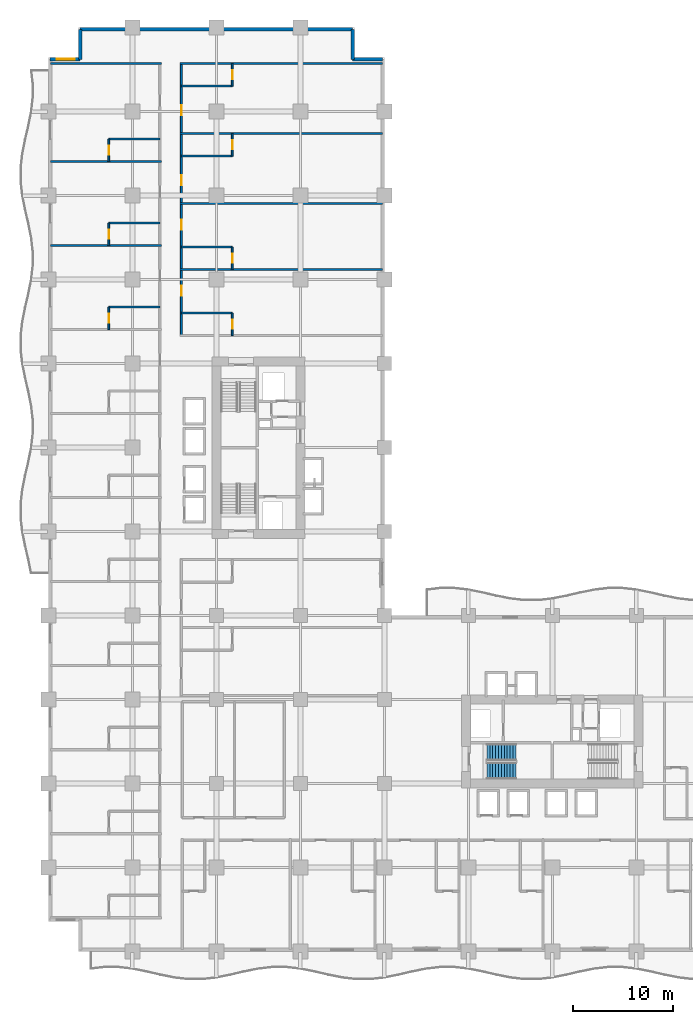
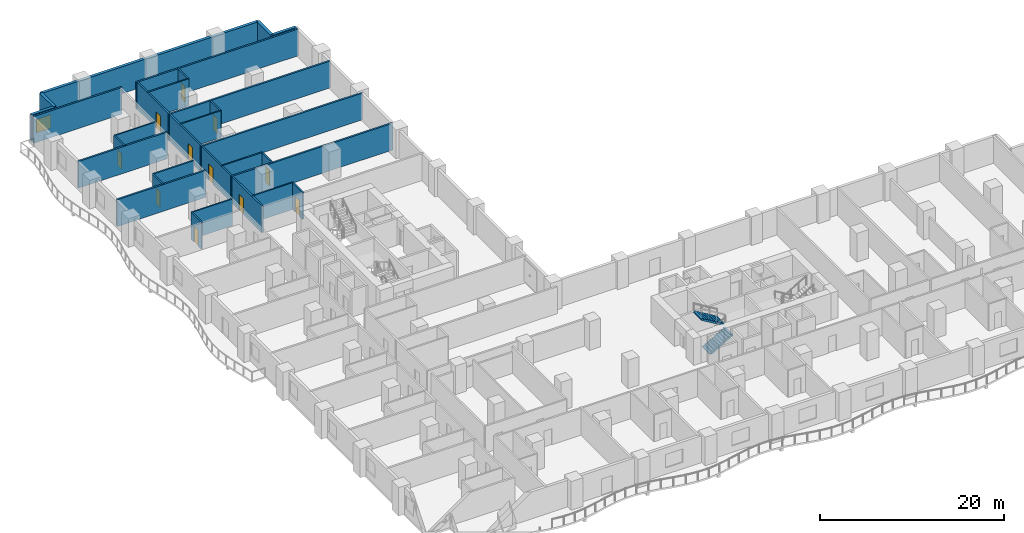
# One storey, part 14 of 20: 27 walls, 11 doors, 2 stair flights, 1 window, 12 openings, 1 element without a shape of its own.
"""IFC4 building model written with IfcOpenShell, lengths in metres."""

from ifc_helpers import new_model, si_unit, direction, frame, frame_2d, origin, place, context, subcontext, project, spatial, polyline, rectangle, outline, extrude, material, layer, layer_set, type_object, element, fill, aggregate, save


model = new_model("IFC4")

# Units and contexts
model_context = context("Model", 3, precision=1e-05, world=origin(), true_north=direction((0.0, 1.0)))
body_context = subcontext(model_context, "Body", "Model", "MODEL_VIEW")
ifc_project = project(units=[si_unit("LENGTHUNIT", "METRE"), si_unit("AREAUNIT", "SQUARE_METRE"), si_unit("VOLUMEUNIT", "CUBIC_METRE"), si_unit("PLANEANGLEUNIT", "RADIAN"), si_unit("MASSUNIT", "GRAM", prefix="KILO")], contexts=[model_context])

# Site, building, storey
site_placement = place(None, origin())
site = spatial("IfcSite", under=ifc_project, at=site_placement, CompositionType="ELEMENT")
building_placement = place(site_placement, origin())
building = spatial("IfcBuilding", under=site, at=building_placement, Name="Koriwani Terraces Tower", CompositionType="ELEMENT")
storey_placement = place(building_placement, frame((0.0, 0.0, 35.800048828125)))
storey = spatial("IfcBuildingStorey", under=building, at=storey_placement, Name="L07", CompositionType="ELEMENT", Elevation=35.800048828125)

# Wall, openings, doors
ifc_material_1 = material(Name="Autoclaved Cellular Concrete Blockwork", Category="masonry")
ifc_layer_1 = layer(ifc_material_1, 0.199951171875, Name="Autoclaved Cellular Concrete Blockwork")
ifc_layer_set_1 = layer_set([ifc_layer_1], Name="Autoclaved Cellular Concrete Blockwork")
wall_type_1 = type_object("IfcWallType", Name="WALL_CORRIDOR_200", PredefinedType="PARTITIONING", material=ifc_layer_set_1)
wall_1_placement = place(storey_placement, frame((13.300048828125, 61.60009765625, 0.0), z_axis=(0.0, 0.0, 1.0), x_axis=(0.0, 1.0, 0.0)))
wall_1 = element("IfcWall", 1, at=wall_1_placement, inside=storey, type_object=wall_type_1, Name="L07 Interior Wall WCOR-L07-NE-0", PredefinedType="PARTITIONING", context=body_context, shape_type="SweptSolid", body=[
    extrude(rectangle(XDim=27.199951171875, YDim=0.199951171875, at=frame_2d((13.60009765625, 0.0))), origin(), (0.0, 0.0, 1.0), 3.550048828125),
])
opening_1_placement = place(wall_1_placement, frame((3.965087890625, 0.0, 0.0)))
opening_1 = element("IfcOpeningElement", 2, at=opening_1_placement, cuts=wall_1, Name="Opening D-05", PredefinedType="OPENING", context=body_context, shape_type="SweptSolid", body=[
    extrude(rectangle(XDim=1.0, YDim=2.14990234375, at=frame_2d((0.5, 1.074951171875))), frame((0.0, 0.10986328125, 0.0), z_axis=(0.0, -1.0, 0.0), x_axis=(1.0, 0.0, 0.0)), (0.0, 0.0, 1.0), 0.219970703125),
])
opening_2_placement = place(wall_1_placement, frame((10.56494140625, 0.0, 0.0)))
opening_2 = element("IfcOpeningElement", 3, at=opening_2_placement, cuts=wall_1, Name="Opening D-05", PredefinedType="OPENING", context=body_context, shape_type="SweptSolid", body=[
    extrude(rectangle(XDim=1.0, YDim=2.14990234375, at=frame_2d((0.5, 1.074951171875))), frame((0.0, 0.10986328125, 0.0), z_axis=(0.0, -1.0, 0.0), x_axis=(1.0, 0.0, 0.0)), (0.0, 0.0, 1.0), 0.219970703125),
])
opening_3_placement = place(wall_1_placement, frame((15.034912109375, 0.0, 0.0)))
opening_3 = element("IfcOpeningElement", 4, at=opening_3_placement, cuts=wall_1, Name="Opening D-05", PredefinedType="OPENING", context=body_context, shape_type="SweptSolid", body=[
    extrude(rectangle(XDim=1.0, YDim=2.14990234375, at=frame_2d((0.5, 1.074951171875))), frame((0.0, 0.10986328125, 0.0), z_axis=(0.0, -1.0, 0.0), x_axis=(1.0, 0.0, 0.0)), (0.0, 0.0, 1.0), 0.219970703125),
])
opening_4_placement = place(wall_1_placement, frame((22.034912109375, 0.0, 0.0)))
opening_4 = element("IfcOpeningElement", 5, at=opening_4_placement, cuts=wall_1, Name="Opening D-05", PredefinedType="OPENING", context=body_context, shape_type="SweptSolid", body=[
    extrude(rectangle(XDim=1.0, YDim=2.14990234375, at=frame_2d((0.5, 1.074951171875))), frame((0.0, 0.10986328125, 0.0), z_axis=(0.0, -1.0, 0.0), x_axis=(1.0, 0.0, 0.0)), (0.0, 0.0, 1.0), 0.219970703125),
])
ifc_material_2 = material(Name="Architectural Oak Fire Door", Category="wood")
door_type_1 = type_object("IfcDoorType", Name="DOOR_SUITE_ENTRY_1000X2150", OperationType="NOTDEFINED", PredefinedType="DOOR", material=ifc_material_2)
door_1_placement = place(opening_1_placement, origin())
door_1 = element("IfcDoor", 6, at=door_1_placement, inside=storey, type_object=door_type_1, Name="Luxury Hotel Suite 07NE1 Entrance Door", OperationType="SINGLE_SWING_LEFT", OverallHeight=2.14990234375, OverallWidth=1.0, PredefinedType="DOOR", context=body_context, shape_type="SweptSolid", body=[
    extrude(rectangle(XDim=1.0, YDim=2.14990234375, at=frame_2d((0.5, 1.074951171875))), frame((0.0, 0.02490234375, 0.0), z_axis=(0.0, -1.0, 0.0), x_axis=(1.0, 0.0, 0.0)), (0.0, 0.0, 1.0), 0.050048828125),
])
fill(opening_1, door_1)
door_2_placement = place(opening_2_placement, origin())
door_2 = element("IfcDoor", 7, at=door_2_placement, inside=storey, type_object=door_type_1, Name="Luxury Hotel Suite 07NE2 Entrance Door", OperationType="SINGLE_SWING_LEFT", OverallHeight=2.14990234375, OverallWidth=1.0, PredefinedType="DOOR", context=body_context, shape_type="SweptSolid", body=[
    extrude(rectangle(XDim=1.0, YDim=2.14990234375, at=frame_2d((0.5, 1.074951171875))), frame((0.0, 0.02490234375, 0.0), z_axis=(0.0, -1.0, 0.0), x_axis=(1.0, 0.0, 0.0)), (0.0, 0.0, 1.0), 0.050048828125),
])
fill(opening_2, door_2)
door_3_placement = place(opening_3_placement, origin())
door_3 = element("IfcDoor", 8, at=door_3_placement, inside=storey, type_object=door_type_1, Name="Luxury Hotel Suite 07NE3 Entrance Door", OperationType="SINGLE_SWING_LEFT", OverallHeight=2.14990234375, OverallWidth=1.0, PredefinedType="DOOR", context=body_context, shape_type="SweptSolid", body=[
    extrude(rectangle(XDim=1.0, YDim=2.14990234375, at=frame_2d((0.5, 1.074951171875))), frame((0.0, 0.02490234375, 0.0), z_axis=(0.0, -1.0, 0.0), x_axis=(1.0, 0.0, 0.0)), (0.0, 0.0, 1.0), 0.050048828125),
])
fill(opening_3, door_3)
door_4_placement = place(opening_4_placement, origin())
door_4 = element("IfcDoor", 9, at=door_4_placement, inside=storey, type_object=door_type_1, Name="Luxury Hotel Suite 07NE4 Entrance Door", OperationType="SINGLE_SWING_LEFT", OverallHeight=2.14990234375, OverallWidth=1.0, PredefinedType="DOOR", context=body_context, shape_type="SweptSolid", body=[
    extrude(rectangle(XDim=1.0, YDim=2.14990234375, at=frame_2d((0.5, 1.074951171875))), frame((0.0, 0.02490234375, 0.0), z_axis=(0.0, -1.0, 0.0), x_axis=(1.0, 0.0, 0.0)), (0.0, 0.0, 1.0), 0.050048828125),
])
fill(opening_4, door_4)

# Walls
ifc_layer_2 = layer(ifc_material_1, 0.219970703125, Name="Autoclaved Cellular Concrete Blockwork")
ifc_layer_set_2 = layer_set([ifc_layer_2], Name="Autoclaved Cellular Concrete Blockwork")
wall_type_2 = type_object("IfcWallType", Name="WALL_DEMISING_220", PredefinedType="PARTITIONING", material=ifc_layer_set_2)
for number, where, z_axis, x_axis, name in (
    (10, (0.199951171875, 70.60009765625, 0.0), (0.0, 0.0, 1.0), (1.0, 0.0, 0.0), "L07 Interior Wall WDEM-L07-NW-8"),
    (11, (0.199951171875, 79.0, 0.0), (0.0, 0.0, 1.0), (1.0, 0.0, 0.0), "L07 Interior Wall WDEM-L07-NW-9"),
    (12, (0.199951171875, 88.800048828125, 0.0), (0.0, 0.0, 1.0), (1.0, 0.0, 0.0), "L07 Interior Wall WDEME-L07-NW"),
):
    element("IfcWall", number, at=place(storey_placement, frame(where, z_axis=z_axis, x_axis=x_axis)), inside=storey, type_object=wall_type_2, Name=name, PredefinedType="PARTITIONING", context=body_context, shape_type="SweptSolid", body=[
        extrude(rectangle(XDim=11.130126953125, YDim=0.219970703125, at=frame_2d((5.56494140625, 0.0))), origin(), (0.0, 0.0, 1.0), 3.550048828125),
    ])
for number, where, z_axis, x_axis, name in (
    (13, (13.14990234375, 68.199951171875, 0.0), (0.0, 0.0, 1.0), (1.0, 0.0, 0.0), "L07 Interior Wall WDEM-L07-NE-1"),
    (14, (13.14990234375, 74.800048828125, 0.0), (0.0, 0.0, 1.0), (1.0, 0.0, 0.0), "L07 Interior Wall WDEM-L07-NE-2"),
    (15, (13.14990234375, 81.800048828125, 0.0), (0.0, 0.0, 1.0), (1.0, 0.0, 0.0), "L07 Interior Wall WDEM-L07-NE-3"),
    (16, (13.14990234375, 88.800048828125, 0.0), (0.0, 0.0, 1.0), (1.0, 0.0, 0.0), "L07 Interior Wall WDEME-L07-NE"),
):
    element("IfcWall", number, at=place(storey_placement, frame(where, z_axis=z_axis, x_axis=x_axis)), inside=storey, type_object=wall_type_2, Name=name, PredefinedType="PARTITIONING", context=body_context, shape_type="SweptSolid", body=[
        extrude(rectangle(XDim=20.280029296875, YDim=0.219970703125, at=frame_2d((10.14013671875, 0.0))), origin(), (0.0, 0.0, 1.0), 3.550048828125),
    ])

# Wall, opening, window
ifc_material_3 = material(Name="Concrete C50/60", Category="concrete")
ifc_layer_3 = layer(ifc_material_3, 0.35009765625, Name="Concrete C50/60")
ifc_layer_set_3 = layer_set([ifc_layer_3], Name="Concrete C50/60")
wall_type_3 = type_object("IfcWallType", Name="WALL_EXT_BRUTALIST_350", PredefinedType="STANDARD", material=ifc_layer_set_3)
wall_2_placement = place(storey_placement, frame((0.175048828125, 89.22509765625, 0.0), z_axis=(0.0, 0.0, 1.0), x_axis=(1.0, 0.0, 0.0)))
wall_2 = element("IfcWall", 17, at=wall_2_placement, inside=storey, type_object=wall_type_3, Name="L07 Fair-Faced Brutalist Exterior Wall (N3)", PredefinedType="STANDARD", context=body_context, shape_type="SweptSolid", body=[
    extrude(rectangle(XDim=3.0, YDim=0.35009765625, at=frame_2d((1.5, 0.0))), origin(), (0.0, 0.0, 1.0), 3.550048828125),
])
opening_5_placement = place(wall_2_placement, frame((0.677490234375, 0.0, 0.85009765625)))
opening_5 = element("IfcOpeningElement", 18, at=opening_5_placement, cuts=wall_2, Name="Opening W-04", PredefinedType="OPENING", context=body_context, shape_type="SweptSolid", body=[
    extrude(rectangle(XDim=1.800048828125, YDim=1.800048828125, at=frame_2d((0.89990234375, 0.89990234375))), frame((0.0, 0.18505859375, 0.0), z_axis=(0.0, -1.0, 0.0), x_axis=(1.0, 0.0, 0.0)), (0.0, 0.0, 1.0), 0.3701171875),
])
ifc_material_4 = material(Name="Tempered Laminated Low-E Glass", Category="glass")
window_type = type_object("IfcWindowType", Name="WIN_RES_BED_1800X1800", PartitioningType="DOUBLE_PANEL_VERTICAL", PredefinedType="WINDOW", material=ifc_material_4)
window_placement = place(opening_5_placement, origin())
window = element("IfcWindow", 19, at=window_placement, inside=storey, type_object=window_type, Name="L07 Exterior Window (N3-R55)", OverallHeight=1.800048828125, OverallWidth=1.800048828125, PartitioningType="SINGLE_PANEL", PredefinedType="WINDOW", context=body_context, shape_type="SweptSolid", body=[
    extrude(rectangle(XDim=1.800048828125, YDim=1.800048828125, at=frame_2d((0.89990234375, 0.89990234375))), frame((0.0, 0.030029296875, 0.0), z_axis=(0.0, -1.0, 0.0), x_axis=(1.0, 0.0, 0.0)), (0.0, 0.0, 1.0), 0.06005859375),
])
fill(opening_5, window)

# Walls
wall_3_placement = place(storey_placement, frame((3.175048828125, 89.22509765625, 0.0), z_axis=(0.0, 0.0, 1.0), x_axis=(0.0, 1.0, 0.0)))
element("IfcWall", 20, at=wall_3_placement, inside=storey, type_object=wall_type_3, Name="L07 Fair-Faced Brutalist Exterior Wall (N4)", PredefinedType="STANDARD", context=body_context, shape_type="SweptSolid", body=[
    extrude(rectangle(XDim=3.0, YDim=0.35009765625, at=frame_2d((1.5, 0.0))), origin(), (0.0, 0.0, 1.0), 3.550048828125),
])
wall_4_placement = place(storey_placement, frame((3.175048828125, 92.22509765625, 0.0), z_axis=(0.0, 0.0, 1.0), x_axis=(1.0, 0.0, 0.0)))
element("IfcWall", 21, at=wall_4_placement, inside=storey, type_object=wall_type_3, Name="L07 Fair-Faced Brutalist Exterior Wall (N_TIP)", PredefinedType="STANDARD", context=body_context, shape_type="SweptSolid", body=[
    extrude(rectangle(XDim=27.25, YDim=0.35009765625, at=frame_2d((13.625, 0.0))), origin(), (0.0, 0.0, 1.0), 3.550048828125),
])
for number, where, z_axis, x_axis, name in (
    (22, (30.425048828125, 92.22509765625, 0.0), (0.0, 0.0, 1.0), (0.0, -1.0, 0.0), "L07 Fair-Faced Brutalist Exterior Wall (N6)"),
    (23, (30.425048828125, 89.22509765625, 0.0), (0.0, 0.0, 1.0), (1.0, 0.0, 0.0), "L07 Fair-Faced Brutalist Exterior Wall (N7)"),
):
    element("IfcWall", number, at=place(storey_placement, frame(where, z_axis=z_axis, x_axis=x_axis)), inside=storey, type_object=wall_type_3, Name=name, PredefinedType="STANDARD", context=body_context, shape_type="SweptSolid", body=[
        extrude(rectangle(XDim=3.0, YDim=0.35009765625, at=frame_2d((1.5, 0.0))), origin(), (0.0, 0.0, 1.0), 3.550048828125),
    ])

# Wall, opening, door
ifc_material_5 = material(Name="Fire-Rated Acoustic Gypsum Partition", Category="masonry")
ifc_layer_4 = layer(ifc_material_5, 0.179931640625, Name="Fire-Rated Acoustic Gypsum Partition")
ifc_layer_set_4 = layer_set([ifc_layer_4], Name="Fire-Rated Acoustic Gypsum Partition")
wall_type_4 = type_object("IfcWallType", Name="WALL_PLUMBING_180", PredefinedType="PLUMBINGWALL", material=ifc_layer_set_4)
wall_5_placement = place(storey_placement, frame((6.050048828125, 62.199951171875, 0.0), z_axis=(0.0, 0.0, 1.0), x_axis=(0.0, 1.0, 0.0)))
wall_5 = element("IfcWall", 24, at=wall_5_placement, inside=storey, type_object=wall_type_4, Name="L07 Interior Wall WBTH1-L07-NW-7", PredefinedType="PLUMBINGWALL", context=body_context, shape_type="SweptSolid", body=[
    extrude(rectangle(XDim=2.25, YDim=0.179931640625, at=frame_2d((1.125, 0.0))), origin(), (0.0, 0.0, 1.0), 3.550048828125),
])
opening_6_placement = place(wall_5_placement, frame((0.675048828125, 0.0, 0.0)))
opening_6 = element("IfcOpeningElement", 25, at=opening_6_placement, cuts=wall_5, Name="Opening D-07", PredefinedType="OPENING", context=body_context, shape_type="SweptSolid", body=[
    extrude(rectangle(XDim=0.89990234375, YDim=2.10009765625, at=frame_2d((0.449951171875, 1.050048828125))), frame((0.0, 0.10009765625, 0.0), z_axis=(0.0, -1.0, 0.0), x_axis=(1.0, 0.0, 0.0)), (0.0, 0.0, 1.0), 0.199951171875),
])
door_type_2 = type_object("IfcDoorType", Name="DOOR_BATH_INT_900X2100", OperationType="NOTDEFINED", PredefinedType="DOOR", material=ifc_material_2)
door_5_placement = place(opening_6_placement, origin())
door_5 = element("IfcDoor", 26, at=door_5_placement, inside=storey, type_object=door_type_2, Name="En-Suite Bathroom 07NW8 Door", OperationType="SINGLE_SWING_RIGHT", OverallHeight=2.10009765625, OverallWidth=0.89990234375, PredefinedType="DOOR", context=body_context, shape_type="SweptSolid", body=[
    extrude(rectangle(XDim=0.89990234375, YDim=2.10009765625, at=frame_2d((0.449951171875, 1.050048828125))), frame((0.0, 0.02490234375, 0.0), z_axis=(0.0, -1.0, 0.0), x_axis=(1.0, 0.0, 0.0)), (0.0, 0.0, 1.0), 0.050048828125),
])
fill(opening_6, door_5)

# Wall
wall_6_placement = place(storey_placement, frame((6.050048828125, 64.449951171875, 0.0), z_axis=(0.0, 0.0, 1.0), x_axis=(1.0, 0.0, 0.0)))
element("IfcWall", 27, at=wall_6_placement, inside=storey, type_object=wall_type_4, Name="L07 Interior Wall WBTH2-L07-NW-7", PredefinedType="PLUMBINGWALL", context=body_context, shape_type="SweptSolid", body=[
    extrude(rectangle(XDim=5.099853515625, YDim=0.179931640625, at=frame_2d((2.5498046875, 0.0))), origin(), (0.0, 0.0, 1.0), 3.550048828125),
])

# Wall, opening, door
wall_7_placement = place(storey_placement, frame((6.050048828125, 70.60009765625, 0.0), z_axis=(0.0, 0.0, 1.0), x_axis=(0.0, 1.0, 0.0)))
wall_7 = element("IfcWall", 28, at=wall_7_placement, inside=storey, type_object=wall_type_4, Name="L07 Interior Wall WBTH1-L07-NW-8", PredefinedType="PLUMBINGWALL", context=body_context, shape_type="SweptSolid", body=[
    extrude(rectangle(XDim=2.25, YDim=0.179931640625, at=frame_2d((1.125, 0.0))), origin(), (0.0, 0.0, 1.0), 3.550048828125),
])
opening_7_placement = place(wall_7_placement, frame((0.675048828125, 0.0, 0.0)))
opening_7 = element("IfcOpeningElement", 29, at=opening_7_placement, cuts=wall_7, Name="Opening D-07", PredefinedType="OPENING", context=body_context, shape_type="SweptSolid", body=[
    extrude(rectangle(XDim=0.89990234375, YDim=2.10009765625, at=frame_2d((0.449951171875, 1.050048828125))), frame((0.0, 0.10009765625, 0.0), z_axis=(0.0, -1.0, 0.0), x_axis=(1.0, 0.0, 0.0)), (0.0, 0.0, 1.0), 0.199951171875),
])
door_6_placement = place(opening_7_placement, origin())
door_6 = element("IfcDoor", 30, at=door_6_placement, inside=storey, type_object=door_type_2, Name="En-Suite Bathroom 07NW9 Door", OperationType="SINGLE_SWING_RIGHT", OverallHeight=2.10009765625, OverallWidth=0.89990234375, PredefinedType="DOOR", context=body_context, shape_type="SweptSolid", body=[
    extrude(rectangle(XDim=0.89990234375, YDim=2.10009765625, at=frame_2d((0.449951171875, 1.050048828125))), frame((0.0, 0.02490234375, 0.0), z_axis=(0.0, -1.0, 0.0), x_axis=(1.0, 0.0, 0.0)), (0.0, 0.0, 1.0), 0.050048828125),
])
fill(opening_7, door_6)

# Wall
wall_8_placement = place(storey_placement, frame((6.050048828125, 72.85009765625, 0.0), z_axis=(0.0, 0.0, 1.0), x_axis=(1.0, 0.0, 0.0)))
element("IfcWall", 31, at=wall_8_placement, inside=storey, type_object=wall_type_4, Name="L07 Interior Wall WBTH2-L07-NW-8", PredefinedType="PLUMBINGWALL", context=body_context, shape_type="SweptSolid", body=[
    extrude(rectangle(XDim=5.099853515625, YDim=0.179931640625, at=frame_2d((2.5498046875, 0.0))), origin(), (0.0, 0.0, 1.0), 3.550048828125),
])

# Wall, opening, door
wall_9_placement = place(storey_placement, frame((6.050048828125, 79.0, 0.0), z_axis=(0.0, 0.0, 1.0), x_axis=(0.0, 1.0, 0.0)))
wall_9 = element("IfcWall", 32, at=wall_9_placement, inside=storey, type_object=wall_type_4, Name="L07 Interior Wall WBTH1-L07-NW-9", PredefinedType="PLUMBINGWALL", context=body_context, shape_type="SweptSolid", body=[
    extrude(rectangle(XDim=2.25, YDim=0.179931640625, at=frame_2d((1.125, 0.0))), origin(), (0.0, 0.0, 1.0), 3.550048828125),
])
opening_8_placement = place(wall_9_placement, frame((0.675048828125, 0.0, 0.0)))
opening_8 = element("IfcOpeningElement", 33, at=opening_8_placement, cuts=wall_9, Name="Opening D-07", PredefinedType="OPENING", context=body_context, shape_type="SweptSolid", body=[
    extrude(rectangle(XDim=0.89990234375, YDim=2.10009765625, at=frame_2d((0.449951171875, 1.050048828125))), frame((0.0, 0.10009765625, 0.0), z_axis=(0.0, -1.0, 0.0), x_axis=(1.0, 0.0, 0.0)), (0.0, 0.0, 1.0), 0.199951171875),
])
door_7_placement = place(opening_8_placement, origin())
door_7 = element("IfcDoor", 34, at=door_7_placement, inside=storey, type_object=door_type_2, Name="En-Suite Bathroom 07NW10 Door", OperationType="SINGLE_SWING_RIGHT", OverallHeight=2.10009765625, OverallWidth=0.89990234375, PredefinedType="DOOR", context=body_context, shape_type="SweptSolid", body=[
    extrude(rectangle(XDim=0.89990234375, YDim=2.10009765625, at=frame_2d((0.449951171875, 1.050048828125))), frame((0.0, 0.02490234375, 0.0), z_axis=(0.0, -1.0, 0.0), x_axis=(1.0, 0.0, 0.0)), (0.0, 0.0, 1.0), 0.050048828125),
])
fill(opening_8, door_7)

# Wall
wall_10_placement = place(storey_placement, frame((6.050048828125, 81.25, 0.0), z_axis=(0.0, 0.0, 1.0), x_axis=(1.0, 0.0, 0.0)))
element("IfcWall", 35, at=wall_10_placement, inside=storey, type_object=wall_type_4, Name="L07 Interior Wall WBTH2-L07-NW-9", PredefinedType="PLUMBINGWALL", context=body_context, shape_type="SweptSolid", body=[
    extrude(rectangle(XDim=5.099853515625, YDim=0.179931640625, at=frame_2d((2.5498046875, 0.0))), origin(), (0.0, 0.0, 1.0), 3.550048828125),
])

# Wall, opening, door
wall_11_placement = place(storey_placement, frame((18.39990234375, 61.60009765625, 0.0), z_axis=(0.0, 0.0, 1.0), x_axis=(0.0, 1.0, 0.0)))
wall_11 = element("IfcWall", 36, at=wall_11_placement, inside=storey, type_object=wall_type_4, Name="L07 Interior Wall WBTH1-L07-NE-0", PredefinedType="PLUMBINGWALL", context=body_context, shape_type="SweptSolid", body=[
    extrude(rectangle(XDim=2.25, YDim=0.179931640625, at=frame_2d((1.125, 0.0))), origin(), (0.0, 0.0, 1.0), 3.550048828125),
])
opening_9_placement = place(wall_11_placement, frame((0.675048828125, 0.0, 0.0)))
opening_9 = element("IfcOpeningElement", 37, at=opening_9_placement, cuts=wall_11, Name="Opening D-07", PredefinedType="OPENING", context=body_context, shape_type="SweptSolid", body=[
    extrude(rectangle(XDim=0.89990234375, YDim=2.10009765625, at=frame_2d((0.449951171875, 1.050048828125))), frame((0.0, 0.10009765625, 0.0), z_axis=(0.0, -1.0, 0.0), x_axis=(1.0, 0.0, 0.0)), (0.0, 0.0, 1.0), 0.199951171875),
])
door_8_placement = place(opening_9_placement, origin())
door_8 = element("IfcDoor", 38, at=door_8_placement, inside=storey, type_object=door_type_2, Name="En-Suite Bathroom 07NE1 Door", OperationType="SINGLE_SWING_RIGHT", OverallHeight=2.10009765625, OverallWidth=0.89990234375, PredefinedType="DOOR", context=body_context, shape_type="SweptSolid", body=[
    extrude(rectangle(XDim=0.89990234375, YDim=2.10009765625, at=frame_2d((0.449951171875, 1.050048828125))), frame((0.0, 0.02490234375, 0.0), z_axis=(0.0, -1.0, 0.0), x_axis=(1.0, 0.0, 0.0)), (0.0, 0.0, 1.0), 0.050048828125),
])
fill(opening_9, door_8)

# Wall
wall_12_placement = place(storey_placement, frame((13.300048828125, 63.85009765625, 0.0), z_axis=(0.0, 0.0, 1.0), x_axis=(1.0, 0.0, 0.0)))
element("IfcWall", 39, at=wall_12_placement, inside=storey, type_object=wall_type_4, Name="L07 Interior Wall WBTH2-L07-NE-0", PredefinedType="PLUMBINGWALL", context=body_context, shape_type="SweptSolid", body=[
    extrude(rectangle(XDim=5.099853515625, YDim=0.179931640625, at=frame_2d((2.5498046875, 0.0))), origin(), (0.0, 0.0, 1.0), 3.550048828125),
])

# Wall, opening, door
wall_13_placement = place(storey_placement, frame((18.39990234375, 68.199951171875, 0.0), z_axis=(0.0, 0.0, 1.0), x_axis=(0.0, 1.0, 0.0)))
wall_13 = element("IfcWall", 40, at=wall_13_placement, inside=storey, type_object=wall_type_4, Name="L07 Interior Wall WBTH1-L07-NE-1", PredefinedType="PLUMBINGWALL", context=body_context, shape_type="SweptSolid", body=[
    extrude(rectangle(XDim=2.25, YDim=0.179931640625, at=frame_2d((1.125, 0.0))), origin(), (0.0, 0.0, 1.0), 3.550048828125),
])
opening_10_placement = place(wall_13_placement, frame((0.675048828125, 0.0, 0.0)))
opening_10 = element("IfcOpeningElement", 41, at=opening_10_placement, cuts=wall_13, Name="Opening D-07", PredefinedType="OPENING", context=body_context, shape_type="SweptSolid", body=[
    extrude(rectangle(XDim=0.89990234375, YDim=2.10009765625, at=frame_2d((0.449951171875, 1.050048828125))), frame((0.0, 0.10009765625, 0.0), z_axis=(0.0, -1.0, 0.0), x_axis=(1.0, 0.0, 0.0)), (0.0, 0.0, 1.0), 0.199951171875),
])
door_9_placement = place(opening_10_placement, origin())
door_9 = element("IfcDoor", 42, at=door_9_placement, inside=storey, type_object=door_type_2, Name="En-Suite Bathroom 07NE2 Door", OperationType="SINGLE_SWING_RIGHT", OverallHeight=2.10009765625, OverallWidth=0.89990234375, PredefinedType="DOOR", context=body_context, shape_type="SweptSolid", body=[
    extrude(rectangle(XDim=0.89990234375, YDim=2.10009765625, at=frame_2d((0.449951171875, 1.050048828125))), frame((0.0, 0.02490234375, 0.0), z_axis=(0.0, -1.0, 0.0), x_axis=(1.0, 0.0, 0.0)), (0.0, 0.0, 1.0), 0.050048828125),
])
fill(opening_10, door_9)

# Wall
wall_14_placement = place(storey_placement, frame((13.300048828125, 70.449951171875, 0.0), z_axis=(0.0, 0.0, 1.0), x_axis=(1.0, 0.0, 0.0)))
element("IfcWall", 43, at=wall_14_placement, inside=storey, type_object=wall_type_4, Name="L07 Interior Wall WBTH2-L07-NE-1", PredefinedType="PLUMBINGWALL", context=body_context, shape_type="SweptSolid", body=[
    extrude(rectangle(XDim=5.099853515625, YDim=0.179931640625, at=frame_2d((2.5498046875, 0.0))), origin(), (0.0, 0.0, 1.0), 3.550048828125),
])

# Wall, opening, door
wall_15_placement = place(storey_placement, frame((18.39990234375, 79.550048828125, 0.0), z_axis=(0.0, 0.0, 1.0), x_axis=(0.0, 1.0, 0.0)))
wall_15 = element("IfcWall", 44, at=wall_15_placement, inside=storey, type_object=wall_type_4, Name="L07 Interior Wall WBTH1-L07-NE-2", PredefinedType="PLUMBINGWALL", context=body_context, shape_type="SweptSolid", body=[
    extrude(rectangle(XDim=2.25, YDim=0.179931640625, at=frame_2d((1.125, 0.0))), origin(), (0.0, 0.0, 1.0), 3.550048828125),
])
opening_11_placement = place(wall_15_placement, frame((0.675048828125, 0.0, 0.0)))
opening_11 = element("IfcOpeningElement", 45, at=opening_11_placement, cuts=wall_15, Name="Opening D-07", PredefinedType="OPENING", context=body_context, shape_type="SweptSolid", body=[
    extrude(rectangle(XDim=0.89990234375, YDim=2.10009765625, at=frame_2d((0.449951171875, 1.050048828125))), frame((0.0, 0.10009765625, 0.0), z_axis=(0.0, -1.0, 0.0), x_axis=(1.0, 0.0, 0.0)), (0.0, 0.0, 1.0), 0.199951171875),
])
door_10_placement = place(opening_11_placement, origin())
door_10 = element("IfcDoor", 46, at=door_10_placement, inside=storey, type_object=door_type_2, Name="En-Suite Bathroom 07NE3 Door", OperationType="SINGLE_SWING_RIGHT", OverallHeight=2.10009765625, OverallWidth=0.89990234375, PredefinedType="DOOR", context=body_context, shape_type="SweptSolid", body=[
    extrude(rectangle(XDim=0.89990234375, YDim=2.10009765625, at=frame_2d((0.449951171875, 1.050048828125))), frame((0.0, 0.02490234375, 0.0), z_axis=(0.0, -1.0, 0.0), x_axis=(1.0, 0.0, 0.0)), (0.0, 0.0, 1.0), 0.050048828125),
])
fill(opening_11, door_10)

# Wall
wall_16_placement = place(storey_placement, frame((13.300048828125, 79.550048828125, 0.0), z_axis=(0.0, 0.0, 1.0), x_axis=(1.0, 0.0, 0.0)))
element("IfcWall", 47, at=wall_16_placement, inside=storey, type_object=wall_type_4, Name="L07 Interior Wall WBTH2-L07-NE-2", PredefinedType="PLUMBINGWALL", context=body_context, shape_type="SweptSolid", body=[
    extrude(rectangle(XDim=5.099853515625, YDim=0.179931640625, at=frame_2d((2.5498046875, 0.0))), origin(), (0.0, 0.0, 1.0), 3.550048828125),
])

# Wall, opening, door
wall_17_placement = place(storey_placement, frame((18.39990234375, 86.550048828125, 0.0), z_axis=(0.0, 0.0, 1.0), x_axis=(0.0, 1.0, 0.0)))
wall_17 = element("IfcWall", 48, at=wall_17_placement, inside=storey, type_object=wall_type_4, Name="L07 Interior Wall WBTH1-L07-NE-3", PredefinedType="PLUMBINGWALL", context=body_context, shape_type="SweptSolid", body=[
    extrude(rectangle(XDim=2.25, YDim=0.179931640625, at=frame_2d((1.125, 0.0))), origin(), (0.0, 0.0, 1.0), 3.550048828125),
])
opening_12_placement = place(wall_17_placement, frame((0.675048828125, 0.0, 0.0)))
opening_12 = element("IfcOpeningElement", 49, at=opening_12_placement, cuts=wall_17, Name="Opening D-07", PredefinedType="OPENING", context=body_context, shape_type="SweptSolid", body=[
    extrude(rectangle(XDim=0.89990234375, YDim=2.10009765625, at=frame_2d((0.449951171875, 1.050048828125))), frame((0.0, 0.10009765625, 0.0), z_axis=(0.0, -1.0, 0.0), x_axis=(1.0, 0.0, 0.0)), (0.0, 0.0, 1.0), 0.199951171875),
])
door_11_placement = place(opening_12_placement, origin())
door_11 = element("IfcDoor", 50, at=door_11_placement, inside=storey, type_object=door_type_2, Name="En-Suite Bathroom 07NE4 Door", OperationType="SINGLE_SWING_RIGHT", OverallHeight=2.10009765625, OverallWidth=0.89990234375, PredefinedType="DOOR", context=body_context, shape_type="SweptSolid", body=[
    extrude(rectangle(XDim=0.89990234375, YDim=2.10009765625, at=frame_2d((0.449951171875, 1.050048828125))), frame((0.0, 0.02490234375, 0.0), z_axis=(0.0, -1.0, 0.0), x_axis=(1.0, 0.0, 0.0)), (0.0, 0.0, 1.0), 0.050048828125),
])
fill(opening_12, door_11)

# Wall
wall_18_placement = place(storey_placement, frame((13.300048828125, 86.550048828125, 0.0), z_axis=(0.0, 0.0, 1.0), x_axis=(1.0, 0.0, 0.0)))
element("IfcWall", 51, at=wall_18_placement, inside=storey, type_object=wall_type_4, Name="L07 Interior Wall WBTH2-L07-NE-3", PredefinedType="PLUMBINGWALL", context=body_context, shape_type="SweptSolid", body=[
    extrude(rectangle(XDim=5.099853515625, YDim=0.179931640625, at=frame_2d((2.5498046875, 0.0))), origin(), (0.0, 0.0, 1.0), 3.550048828125),
])

# Stair, stair flights
ifc_material_6 = material(Name="Concrete C40/50", Category="concrete")
stair_type = type_object("IfcStairType", Name="STAIR_CORE_DOGLEG_1650", PredefinedType="TWO_STRAIGHT_RUN_STAIR", material=ifc_material_6)
stair_placement = place(storey_placement, origin())
stair = element("IfcStair", 52, at=stair_placement, inside=storey, type_object=stair_type, Name="L07 East Core Exit Stair 1", PredefinedType="HALF_TURN_STAIR")
stair_flight_type = type_object("IfcStairFlightType", Name="STAIR_FLIGHT_RC_1650", PredefinedType="STRAIGHT", material=ifc_material_6)
stair_flight_1_placement = place(storey_placement, frame((43.85009765625, 18.074951171875, 0.0), z_axis=(0.0, 0.0, 1.0), x_axis=(1.0, 0.0, 0.0)))
stair_flight_1 = element("IfcStairFlight", 53, at=stair_flight_1_placement, type_object=stair_flight_type, Name="ST-E1 flight 1", NumberOfRisers=11, NumberOfTreads=10, PredefinedType="STRAIGHT", RiserHeight=0.172727273, TreadLength=0.29, context=body_context, shape_type="SweptSolid", body=[
    extrude(outline(polyline([(0.0, 0.0), (0.0, 0.172607421875), (0.2900390625, 0.172607421875), (0.2900390625, 0.345458984375), (0.580078125, 0.345458984375), (0.580078125, 0.51806640625), (0.8701171875, 0.51806640625), (0.8701171875, 0.69091796875), (1.159912109375, 0.69091796875), (1.159912109375, 0.863525390625), (1.449951171875, 0.863525390625), (1.449951171875, 1.036376953125), (1.739990234375, 1.036376953125), (1.739990234375, 1.208984375), (2.030029296875, 1.208984375), (2.030029296875, 1.3818359375), (2.320068359375, 1.3818359375), (2.320068359375, 1.554443359375), (2.610107421875, 1.554443359375), (2.610107421875, 1.727294921875), (2.89990234375, 1.727294921875), (2.89990234375, 1.89990234375), (2.89990234375, 1.517822265625), (0.3515625, 0.0), (0.0, 0.0)])), frame((0.0, 0.824951171875, 0.0), z_axis=(0.0, -1.0, 0.0), x_axis=(1.0, 0.0, 0.0)), (0.0, 0.0, 1.0), 1.64990234375),
])
stair_flight_2_placement = place(storey_placement, frame((46.75, 19.925048828125, 1.89990234375), z_axis=(0.0, 0.0, 1.0), x_axis=(-1.0, 0.0, 0.0)))
stair_flight_2 = element("IfcStairFlight", 54, at=stair_flight_2_placement, type_object=stair_flight_type, Name="ST-E1 flight 2", NumberOfRisers=11, NumberOfTreads=10, PredefinedType="STRAIGHT", RiserHeight=0.172727273, TreadLength=0.29, context=body_context, shape_type="SweptSolid", body=[
    extrude(outline(polyline([(0.0, 0.0), (0.0, 0.172607421875), (0.2900390625, 0.172607421875), (0.2900390625, 0.345458984375), (0.580078125, 0.345458984375), (0.580078125, 0.51806640625), (0.8701171875, 0.51806640625), (0.8701171875, 0.69091796875), (1.159912109375, 0.69091796875), (1.159912109375, 0.863525390625), (1.449951171875, 0.863525390625), (1.449951171875, 1.036376953125), (1.739990234375, 1.036376953125), (1.739990234375, 1.208984375), (2.030029296875, 1.208984375), (2.030029296875, 1.3818359375), (2.320068359375, 1.3818359375), (2.320068359375, 1.554443359375), (2.610107421875, 1.554443359375), (2.610107421875, 1.727294921875), (2.89990234375, 1.727294921875), (2.89990234375, 1.89990234375), (2.89990234375, 1.517822265625), (0.3515625, 0.0), (0.0, 0.0)])), frame((0.0, 0.824951171875, 0.0), z_axis=(0.0, -1.0, 0.0), x_axis=(1.0, 0.0, 0.0)), (0.0, 0.0, 1.0), 1.64990234375),
])
aggregate(stair, [stair_flight_1, stair_flight_2])

save(model, "model.ifc")
